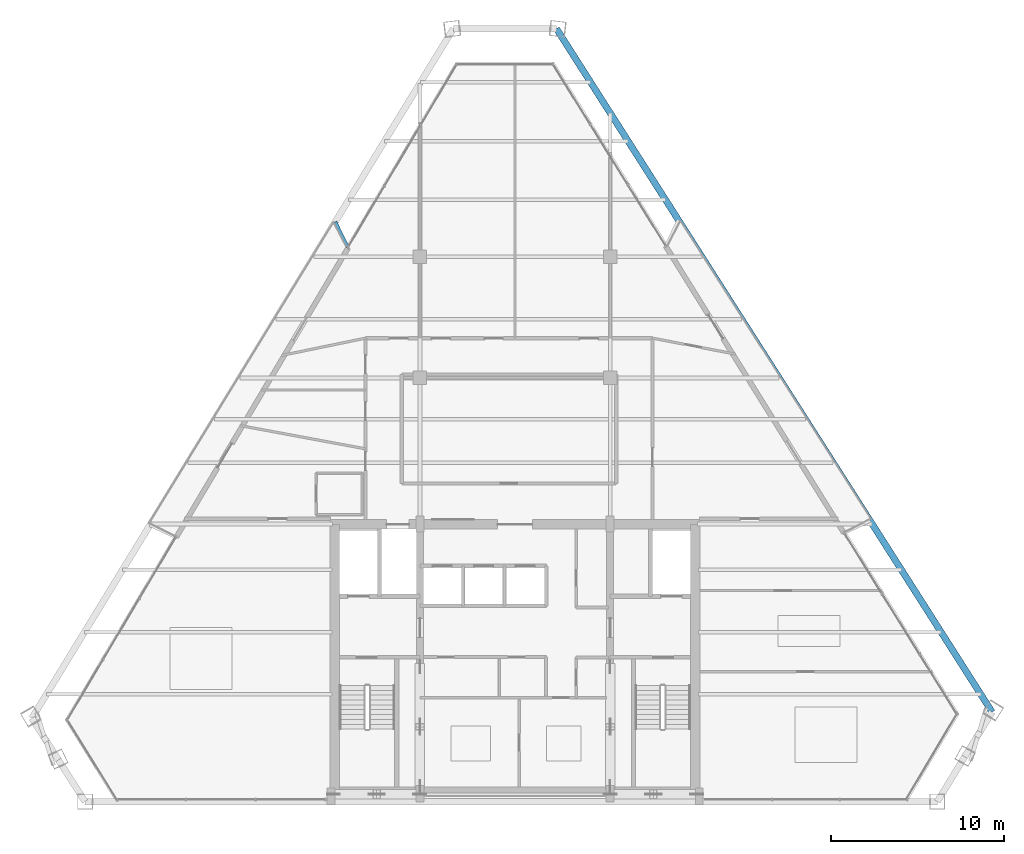
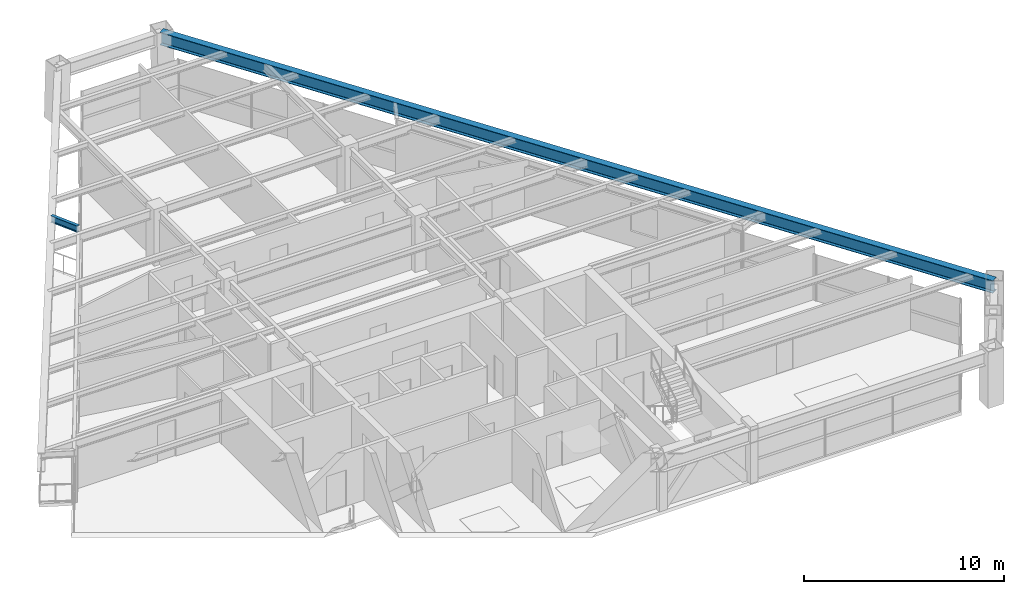
# One storey, part 5 of 12: 2 beams.
"""IFC4 building model written with IfcOpenShell, lengths in metres."""

from ifc_helpers import new_model, si_unit, direction, frame, origin, origin_2d, place, context, subcontext, project, spatial, i_section, extrude, source, transform, mapped, material, material_profile, profile_set, type_object, element, save


model = new_model("IFC4")

# Units and contexts
model_context = context("Model", 3, precision=1e-05, world=origin(), true_north=direction((0.0, 1.0)))
body_context = subcontext(model_context, "Body", "Model", "MODEL_VIEW")
ifc_project = project(units=[si_unit("LENGTHUNIT", "METRE"), si_unit("AREAUNIT", "SQUARE_METRE"), si_unit("VOLUMEUNIT", "CUBIC_METRE"), si_unit("PLANEANGLEUNIT", "RADIAN"), si_unit("MASSUNIT", "GRAM", prefix="KILO")], contexts=[model_context])

# Site, building, storey
site_placement = place(None, origin())
site = spatial("IfcSite", under=ifc_project, at=site_placement, CompositionType="ELEMENT")
building_placement = place(site_placement, origin())
building = spatial("IfcBuilding", under=site, at=building_placement, Name="Varnakhor Terracotta Tower", CompositionType="ELEMENT")
storey_placement = place(building_placement, frame((0.0, 0.0, 230.35009765625)))
storey = spatial("IfcBuildingStorey", under=building, at=storey_placement, Name="L59", CompositionType="ELEMENT", Elevation=230.35009765625)

# Beams
ifc_material = material(Name="Steel S355", Category="steel")
ifc_material_profile_1 = material_profile(ifc_material, i_section(OverallWidth=0.381103515625, OverallDepth=0.77294921875, WebThickness=0.01708984375, FlangeThickness=0.027099609375, FilletRadius=0.01806640625, at=origin_2d()), Name="W30X173")
ifc_profile_set_1 = profile_set([ifc_material_profile_1], Name="Steel S355")
beam_type_1 = type_object("IfcBeamType", Name="BM-W30X173", PredefinedType="BEAM", material=ifc_profile_set_1)
shared_shape_1 = source(origin(), body_context, "Body", "SweptSolid", [
    extrude(i_section(OverallWidth=0.381103515625, OverallDepth=0.77294921875, WebThickness=0.01708984375, FlangeThickness=0.027099609375, FilletRadius=0.01806640625, at=origin_2d()), origin(), (0.0, 0.0, 1.0), 46.87158203125),
])
beam_1_placement = place(storey_placement, frame((27.588623046875, 5.177001953125, 2.853515625), z_axis=(-0.537545348403, 0.843234841791, 0.0), x_axis=(-0.843234841791, -0.537545348403, 0.0)))
element("IfcBeam", 1, at=beam_1_placement, inside=storey, type_object=beam_type_1, Name="L59 Perimeter Spandrel 4", PredefinedType="BEAM", context=body_context, shape_type="MappedRepresentation", body=[
    mapped(shared_shape_1, transform((0.0, 0.0, 0.0), scale=1.0)),
])
ifc_material_profile_2 = material_profile(ifc_material, i_section(OverallWidth=0.179931640625, OverallDepth=0.39990234375, WebThickness=0.008544921875, FlangeThickness=0.013427734375, FilletRadius=0.01806640625, at=origin_2d()), Name="IPE400")
ifc_profile_set_2 = profile_set([ifc_material_profile_2], Name="Steel S355")
beam_type_2 = type_object("IfcBeamType", Name="JST-IPE400", PredefinedType="JOIST", material=ifc_profile_set_2)
shared_shape_2 = source(origin(), body_context, "Body", "SweptSolid", [
    extrude(i_section(OverallWidth=0.179931640625, OverallDepth=0.39990234375, WebThickness=0.008544921875, FlangeThickness=0.013427734375, FilletRadius=0.01806640625, at=origin_2d()), origin(), (0.0, 0.0, 1.0), 1.620361328125),
])
beam_2_placement = place(storey_placement, frame((-9.683837890625, 32.076171875, 3.039794921875), z_axis=(-0.437363645093, 0.899284739085, 0.0), x_axis=(-0.899284739085, -0.437363645093, 0.0)))
element("IfcBeam", 2, at=beam_2_placement, inside=storey, type_object=beam_type_2, Name="L60 W Loggia Tie Beam 2", PredefinedType="JOIST", context=body_context, shape_type="MappedRepresentation", body=[
    mapped(shared_shape_2, transform((0.0, 0.0, 0.0), scale=1.0)),
])

save(model, "model.ifc")
